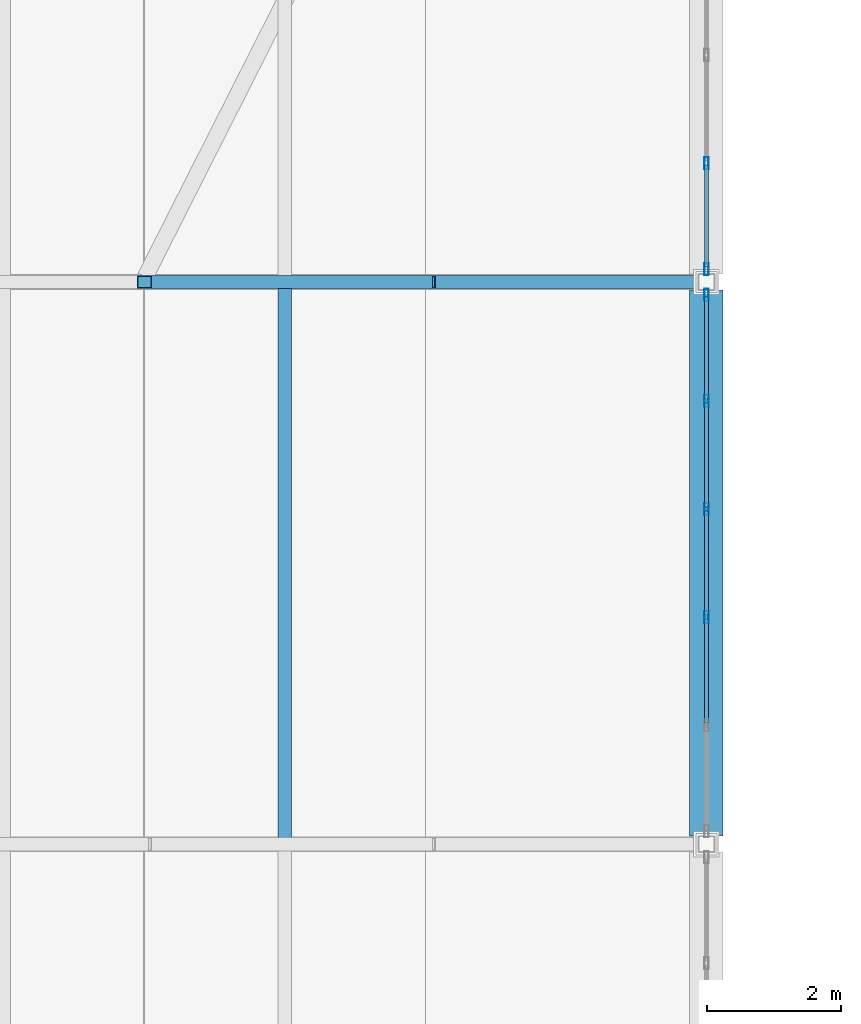
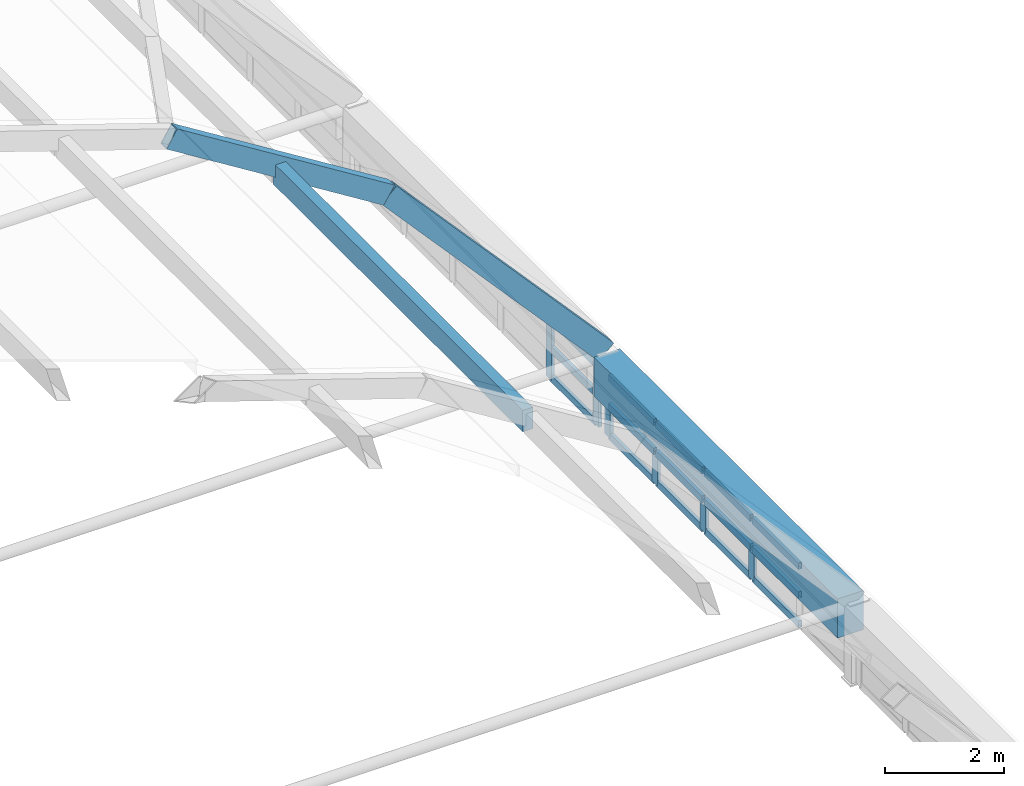
# One storey, part 23 of 114: 22 members, 3 beams, 2 elements without a shape of their own.
"""IFC4 building model written with IfcOpenShell, lengths in metres."""

from ifc_helpers import new_model, si_unit, direction, frame, origin, origin_2d, place, context, subcontext, project, spatial, rectangle, hollow_rectangle, extrude, material, layer, layer_set, material_profile, profile_set, type_object, element, aggregate, save


model = new_model("IFC4")

# Units and contexts
model_context = context("Model", 3, precision=1e-05, world=origin(), true_north=direction((0.0, 1.0)))
body_context = subcontext(model_context, "Body", "Model", "MODEL_VIEW")
ifc_project = project(units=[si_unit("LENGTHUNIT", "METRE"), si_unit("AREAUNIT", "SQUARE_METRE"), si_unit("VOLUMEUNIT", "CUBIC_METRE"), si_unit("PLANEANGLEUNIT", "RADIAN"), si_unit("MASSUNIT", "GRAM", prefix="KILO")], contexts=[model_context])

# Site, building, storey
site_placement = place(None, origin())
site = spatial("IfcSite", under=ifc_project, at=site_placement, CompositionType="ELEMENT")
building_placement = place(site_placement, origin())
building = spatial("IfcBuilding", under=site, at=building_placement, Name="Xazarin Passage Department Store", CompositionType="ELEMENT")
storey_placement = place(building_placement, frame((0.0, 0.0, 14.39990234375)))
storey = spatial("IfcBuildingStorey", under=building, at=storey_placement, Name="L03", CompositionType="ELEMENT", Elevation=14.39990234375)

# Curtain wall, members
ifc_material_1 = material(Name="Bronze anodised aluminium", Category="aluminium")
ifc_layer = layer(ifc_material_1, 0.159912109375)
ifc_layer_set = layer_set([ifc_layer], Name="Bronze anodised aluminium")
curtain_wall_type = type_object("IfcCurtainWallType", Name="ARC-CW-ARC1", PredefinedType="NOTDEFINED", material=ifc_layer_set)
curtain_wall_1_placement = place(storey_placement, origin())
curtain_wall_1 = element("IfcCurtainWall", 1, at=curtain_wall_1_placement, inside=storey, type_object=curtain_wall_type, Name="L03 V2S Galleria Clerestory Curtain Wall 3E", PredefinedType="NOTDEFINED")
ifc_material_profile_1 = material_profile(ifc_material_1, hollow_rectangle(XDim=0.06494140625, YDim=0.179931640625, WallThickness=0.00390625, at=origin_2d()), Name="ALU 65x180")
ifc_profile_set_1 = profile_set([ifc_material_profile_1], Name="Bronze anodised aluminium")
member_type_1 = type_object("IfcMemberType", Name="ARC-CWM-65x180", PredefinedType="MULLION", material=ifc_profile_set_1)
member_1_placement = place(storey_placement, frame((101.60009765625, 20.19189453125, 0.0), z_axis=(0.0, 0.0, 1.0), x_axis=(-1.0, 0.0, 0.0)))
member_1 = element("IfcMember", 2, at=member_1_placement, type_object=member_type_1, Name="CW3 mullion 3", PredefinedType="MULLION", context=body_context, shape_type="SweptSolid", body=[
    extrude(hollow_rectangle(XDim=0.06494140625, YDim=0.179931640625, WallThickness=0.00390625, at=origin_2d()), origin(), (0.0, 0.0, 1.0), 1.251708984375),
])
member_2_placement = place(storey_placement, frame((101.60009765625, 21.80810546875, 0.0), z_axis=(0.0, 0.0, 1.0), x_axis=(-1.0, 0.0, 0.0)))
member_2 = element("IfcMember", 3, at=member_2_placement, type_object=member_type_1, Name="CW3 mullion 4", PredefinedType="MULLION", context=body_context, shape_type="SweptSolid", body=[
    extrude(hollow_rectangle(XDim=0.06494140625, YDim=0.179931640625, WallThickness=0.00390625, at=origin_2d()), origin(), (0.0, 0.0, 1.0), 1.251708984375),
])
member_3_placement = place(storey_placement, frame((101.60009765625, 23.424072265625, 0.0), z_axis=(0.0, 0.0, 1.0), x_axis=(-1.0, 0.0, 0.0)))
member_3 = element("IfcMember", 4, at=member_3_placement, type_object=member_type_1, Name="CW3 mullion 5", PredefinedType="MULLION", context=body_context, shape_type="SweptSolid", body=[
    extrude(hollow_rectangle(XDim=0.06494140625, YDim=0.179931640625, WallThickness=0.00390625, at=origin_2d()), origin(), (0.0, 0.0, 1.0), 1.251708984375),
])
member_4_placement = place(storey_placement, frame((101.60009765625, 25.007568359375, 0.0), z_axis=(0.0, 0.0, 1.0), x_axis=(-1.0, 0.0, 0.0)))
member_4 = element("IfcMember", 5, at=member_4_placement, type_object=member_type_1, Name="CW3 mullion 6", PredefinedType="MULLION", context=body_context, shape_type="SweptSolid", body=[
    extrude(hollow_rectangle(XDim=0.06494140625, YDim=0.179931640625, WallThickness=0.00390625, at=origin_2d()), origin(), (0.0, 0.0, 1.0), 1.251708984375),
])

curtain_wall_2_placement = place(storey_placement, origin())
curtain_wall_2 = element("IfcCurtainWall", 6, at=curtain_wall_2_placement, inside=storey, type_object=curtain_wall_type, Name="L03 V2S Galleria Clerestory Curtain Wall 4E", PredefinedType="NOTDEFINED")
member_5_placement = place(storey_placement, frame((101.60009765625, 25.392578125, 0.0), z_axis=(0.0, 0.0, 1.0), x_axis=(-1.0, 0.0, 0.0)))
member_5 = element("IfcMember", 7, at=member_5_placement, type_object=member_type_1, Name="CW3 mullion 1", PredefinedType="MULLION", context=body_context, shape_type="SweptSolid", body=[
    extrude(hollow_rectangle(XDim=0.06494140625, YDim=0.179931640625, WallThickness=0.00390625, at=origin_2d()), origin(), (0.0, 0.0, 1.0), 1.251708984375),
])
member_6_placement = place(storey_placement, frame((101.60009765625, 26.97607421875, 0.0), z_axis=(0.0, 0.0, 1.0), x_axis=(-1.0, 0.0, 0.0)))
member_6 = element("IfcMember", 8, at=member_6_placement, type_object=member_type_1, Name="CW3 mullion 2", PredefinedType="MULLION", context=body_context, shape_type="SweptSolid", body=[
    extrude(hollow_rectangle(XDim=0.06494140625, YDim=0.179931640625, WallThickness=0.00390625, at=origin_2d()), origin(), (0.0, 0.0, 1.0), 1.251708984375),
])

# Member
ifc_material_profile_2 = material_profile(ifc_material_1, hollow_rectangle(XDim=0.06494140625, YDim=0.139892578125, WallThickness=0.00390625, at=origin_2d()), Name="ALU 65x140")
ifc_profile_set_2 = profile_set([ifc_material_profile_2], Name="Bronze anodised aluminium")
member_type_2 = type_object("IfcMemberType", Name="ARC-CWT-65x140", PredefinedType="USERDEFINED", material=ifc_profile_set_2)
member_7_placement = place(storey_placement, frame((101.60009765625, 18.6083984375, 0.03271484375), z_axis=(0.0, 1.0, 0.0), x_axis=(-1.0, 0.0, 0.0)))
member_7 = element("IfcMember", 9, at=member_7_placement, type_object=member_type_2, Name="CW3 transom 2.1", ObjectType="TRANSOM", PredefinedType="USERDEFINED", context=body_context, shape_type="SweptSolid", body=[
    extrude(hollow_rectangle(XDim=0.06494140625, YDim=0.139892578125, WallThickness=0.00390625, at=origin_2d()), origin(), (0.0, 0.0, 1.0), 1.551025390625),
])

member_8_placement = place(storey_placement, frame((101.60009765625, 18.6083984375, 0.6259765625), z_axis=(0.0, 1.0, 0.0), x_axis=(-1.0, 0.0, 0.0)))
member_8 = element("IfcMember", 10, at=member_8_placement, type_object=member_type_2, Name="CW3 transom 2.2", ObjectType="TRANSOM", PredefinedType="USERDEFINED", context=body_context, shape_type="SweptSolid", body=[
    extrude(hollow_rectangle(XDim=0.06494140625, YDim=0.139892578125, WallThickness=0.00390625, at=origin_2d()), origin(), (0.0, 0.0, 1.0), 1.551025390625),
])

member_9_placement = place(storey_placement, frame((101.60009765625, 18.6083984375, 1.21923828125), z_axis=(0.0, 1.0, 0.0), x_axis=(-1.0, 0.0, 0.0)))
member_9 = element("IfcMember", 11, at=member_9_placement, type_object=member_type_2, Name="CW3 transom 2.3", ObjectType="TRANSOM", PredefinedType="USERDEFINED", context=body_context, shape_type="SweptSolid", body=[
    extrude(hollow_rectangle(XDim=0.06494140625, YDim=0.139892578125, WallThickness=0.00390625, at=origin_2d()), origin(), (0.0, 0.0, 1.0), 1.551025390625),
])

member_10_placement = place(storey_placement, frame((101.60009765625, 20.224609375, 0.03271484375), z_axis=(0.0, 1.0, 0.0), x_axis=(-1.0, 0.0, 0.0)))
member_10 = element("IfcMember", 12, at=member_10_placement, type_object=member_type_2, Name="CW3 transom 3.1", ObjectType="TRANSOM", PredefinedType="USERDEFINED", context=body_context, shape_type="SweptSolid", body=[
    extrude(hollow_rectangle(XDim=0.06494140625, YDim=0.139892578125, WallThickness=0.00390625, at=origin_2d()), origin(), (0.0, 0.0, 1.0), 1.55078125),
])

member_11_placement = place(storey_placement, frame((101.60009765625, 20.224609375, 0.6259765625), z_axis=(0.0, 1.0, 0.0), x_axis=(-1.0, 0.0, 0.0)))
member_11 = element("IfcMember", 13, at=member_11_placement, type_object=member_type_2, Name="CW3 transom 3.2", ObjectType="TRANSOM", PredefinedType="USERDEFINED", context=body_context, shape_type="SweptSolid", body=[
    extrude(hollow_rectangle(XDim=0.06494140625, YDim=0.139892578125, WallThickness=0.00390625, at=origin_2d()), origin(), (0.0, 0.0, 1.0), 1.55078125),
])

member_12_placement = place(storey_placement, frame((101.60009765625, 20.224609375, 1.21923828125), z_axis=(0.0, 1.0, 0.0), x_axis=(-1.0, 0.0, 0.0)))
member_12 = element("IfcMember", 14, at=member_12_placement, type_object=member_type_2, Name="CW3 transom 3.3", ObjectType="TRANSOM", PredefinedType="USERDEFINED", context=body_context, shape_type="SweptSolid", body=[
    extrude(hollow_rectangle(XDim=0.06494140625, YDim=0.139892578125, WallThickness=0.00390625, at=origin_2d()), origin(), (0.0, 0.0, 1.0), 1.55078125),
])

member_13_placement = place(storey_placement, frame((101.60009765625, 21.840576171875, 0.03271484375), z_axis=(0.0, 1.0, 0.0), x_axis=(-1.0, 0.0, 0.0)))
member_13 = element("IfcMember", 15, at=member_13_placement, type_object=member_type_2, Name="CW3 transom 4.1", ObjectType="TRANSOM", PredefinedType="USERDEFINED", context=body_context, shape_type="SweptSolid", body=[
    extrude(hollow_rectangle(XDim=0.06494140625, YDim=0.139892578125, WallThickness=0.00390625, at=origin_2d()), origin(), (0.0, 0.0, 1.0), 1.551025390625),
])

member_14_placement = place(storey_placement, frame((101.60009765625, 21.840576171875, 0.6259765625), z_axis=(0.0, 1.0, 0.0), x_axis=(-1.0, 0.0, 0.0)))
member_14 = element("IfcMember", 16, at=member_14_placement, type_object=member_type_2, Name="CW3 transom 4.2", ObjectType="TRANSOM", PredefinedType="USERDEFINED", context=body_context, shape_type="SweptSolid", body=[
    extrude(hollow_rectangle(XDim=0.06494140625, YDim=0.139892578125, WallThickness=0.00390625, at=origin_2d()), origin(), (0.0, 0.0, 1.0), 1.551025390625),
])

member_15_placement = place(storey_placement, frame((101.60009765625, 21.840576171875, 1.21923828125), z_axis=(0.0, 1.0, 0.0), x_axis=(-1.0, 0.0, 0.0)))
member_15 = element("IfcMember", 17, at=member_15_placement, type_object=member_type_2, Name="CW3 transom 4.3", ObjectType="TRANSOM", PredefinedType="USERDEFINED", context=body_context, shape_type="SweptSolid", body=[
    extrude(hollow_rectangle(XDim=0.06494140625, YDim=0.139892578125, WallThickness=0.00390625, at=origin_2d()), origin(), (0.0, 0.0, 1.0), 1.551025390625),
])

member_16_placement = place(storey_placement, frame((101.60009765625, 23.45654296875, 0.03271484375), z_axis=(0.0, 1.0, 0.0), x_axis=(-1.0, 0.0, 0.0)))
member_16 = element("IfcMember", 18, at=member_16_placement, type_object=member_type_2, Name="CW3 transom 5.1", ObjectType="TRANSOM", PredefinedType="USERDEFINED", context=body_context, shape_type="SweptSolid", body=[
    extrude(hollow_rectangle(XDim=0.06494140625, YDim=0.139892578125, WallThickness=0.00390625, at=origin_2d()), origin(), (0.0, 0.0, 1.0), 1.5185546875),
])

member_17_placement = place(storey_placement, frame((101.60009765625, 23.45654296875, 0.6259765625), z_axis=(0.0, 1.0, 0.0), x_axis=(-1.0, 0.0, 0.0)))
member_17 = element("IfcMember", 19, at=member_17_placement, type_object=member_type_2, Name="CW3 transom 5.2", ObjectType="TRANSOM", PredefinedType="USERDEFINED", context=body_context, shape_type="SweptSolid", body=[
    extrude(hollow_rectangle(XDim=0.06494140625, YDim=0.139892578125, WallThickness=0.00390625, at=origin_2d()), origin(), (0.0, 0.0, 1.0), 1.5185546875),
])

member_18_placement = place(storey_placement, frame((101.60009765625, 23.45654296875, 1.21923828125), z_axis=(0.0, 1.0, 0.0), x_axis=(-1.0, 0.0, 0.0)))
member_18 = element("IfcMember", 20, at=member_18_placement, type_object=member_type_2, Name="CW3 transom 5.3", ObjectType="TRANSOM", PredefinedType="USERDEFINED", context=body_context, shape_type="SweptSolid", body=[
    extrude(hollow_rectangle(XDim=0.06494140625, YDim=0.139892578125, WallThickness=0.00390625, at=origin_2d()), origin(), (0.0, 0.0, 1.0), 1.5185546875),
])

aggregate(curtain_wall_1, [member_1, member_2, member_3, member_4, member_7, member_8, member_9, member_10, member_11, member_12, member_13, member_14, member_15, member_16, member_17, member_18])

member_19_placement = place(storey_placement, frame((101.60009765625, 25.425048828125, 0.03271484375), z_axis=(0.0, 1.0, 0.0), x_axis=(-1.0, 0.0, 0.0)))
member_19 = element("IfcMember", 21, at=member_19_placement, type_object=member_type_2, Name="CW3 transom 1.1", ObjectType="TRANSOM", PredefinedType="USERDEFINED", context=body_context, shape_type="SweptSolid", body=[
    extrude(hollow_rectangle(XDim=0.06494140625, YDim=0.139892578125, WallThickness=0.00390625, at=origin_2d()), origin(), (0.0, 0.0, 1.0), 1.5185546875),
])

member_20_placement = place(storey_placement, frame((101.60009765625, 25.425048828125, 0.6259765625), z_axis=(0.0, 1.0, 0.0), x_axis=(-1.0, 0.0, 0.0)))
member_20 = element("IfcMember", 22, at=member_20_placement, type_object=member_type_2, Name="CW3 transom 1.2", ObjectType="TRANSOM", PredefinedType="USERDEFINED", context=body_context, shape_type="SweptSolid", body=[
    extrude(hollow_rectangle(XDim=0.06494140625, YDim=0.139892578125, WallThickness=0.00390625, at=origin_2d()), origin(), (0.0, 0.0, 1.0), 1.5185546875),
])

member_21_placement = place(storey_placement, frame((101.60009765625, 25.425048828125, 1.21923828125), z_axis=(0.0, 1.0, 0.0), x_axis=(-1.0, 0.0, 0.0)))
member_21 = element("IfcMember", 23, at=member_21_placement, type_object=member_type_2, Name="CW3 transom 1.3", ObjectType="TRANSOM", PredefinedType="USERDEFINED", context=body_context, shape_type="SweptSolid", body=[
    extrude(hollow_rectangle(XDim=0.06494140625, YDim=0.139892578125, WallThickness=0.00390625, at=origin_2d()), origin(), (0.0, 0.0, 1.0), 1.5185546875),
])

aggregate(curtain_wall_2, [member_5, member_6, member_19, member_20, member_21])

# Beams
ifc_material_2 = material(Name="Steel S355", Category="steel")
ifc_material_profile_3 = material_profile(ifc_material_2, hollow_rectangle(XDim=0.199951171875, YDim=0.39990234375, WallThickness=0.01611328125, at=origin_2d()), Name="RHS 400x200x16")
ifc_profile_set_3 = profile_set([ifc_material_profile_3], Name="Steel S355")
beam_type_1 = type_object("IfcBeamType", Name="STR-BM-AR400", PredefinedType="BEAM", material=ifc_profile_set_3)
beam_1_placement = place(storey_placement, frame((93.199951171875, 25.199951171875, 8.95068359375), z_axis=(0.848571440894, 0.0, -0.529080815848), x_axis=(0.0, 1.0, 0.0)))
element("IfcBeam", 24, at=beam_1_placement, inside=storey, type_object=beam_type_1, Name="V2S Primary Arch Rib 4.7", PredefinedType="BEAM", context=body_context, shape_type="SweptSolid", body=[
    extrude(hollow_rectangle(XDim=0.199951171875, YDim=0.39990234375, WallThickness=0.01611328125, at=origin_2d()), origin(), (0.0, 0.0, 1.0), 4.949462890625),
])
beam_2_placement = place(storey_placement, frame((97.39990234375, 25.199951171875, 6.33203125), z_axis=(0.667913050078, 0.0, -0.744239314694), x_axis=(0.0, 1.0, 0.0)))
element("IfcBeam", 25, at=beam_2_placement, inside=storey, type_object=beam_type_1, Name="V2S Primary Arch Rib 4.8", PredefinedType="BEAM", context=body_context, shape_type="SweptSolid", body=[
    extrude(hollow_rectangle(XDim=0.199951171875, YDim=0.39990234375, WallThickness=0.01611328125, at=origin_2d()), origin(), (0.0, 0.0, 1.0), 6.28857421875),
])
ifc_material_3 = material(Name="Concrete C40/50", Category="concrete")
ifc_material_profile_4 = material_profile(ifc_material_3, rectangle(XDim=0.5, YDim=0.800048828125, at=origin_2d()), Name="RC 500x800")
ifc_profile_set_4 = profile_set([ifc_material_profile_4], Name="Concrete C40/50")
beam_type_2 = type_object("IfcBeamType", Name="STR-BM-RG500x800", PredefinedType="BEAM", material=ifc_profile_set_4)
beam_3_placement = place(storey_placement, frame((101.60009765625, 16.919921875, 1.251708984375), z_axis=(0.0, 1.0, 0.0), x_axis=(-1.0, 0.0, 0.0)))
element("IfcBeam", 26, at=beam_3_placement, inside=storey, type_object=beam_type_2, Name="V2S Springing Ring Girder E-3", PredefinedType="BEAM", context=body_context, shape_type="SweptSolid", body=[
    extrude(rectangle(XDim=0.5, YDim=0.800048828125, at=origin_2d()), origin(), (0.0, 0.0, 1.0), 8.16015625),
])

# Member
ifc_material_4 = material(Name="Glulam GL28h", Category="wood")
ifc_material_profile_5 = material_profile(ifc_material_4, rectangle(XDim=0.199951171875, YDim=0.43994140625, at=origin_2d()), Name="GL28h 200x440")
ifc_profile_set_5 = profile_set([ifc_material_profile_5], Name="Glulam GL28h")
member_type_3 = type_object("IfcMemberType", Name="STR-MEM-GL440", PredefinedType="PURLIN", material=ifc_profile_set_5)
member_22_placement = place(storey_placement, frame((95.300048828125, 16.820068359375, 7.501220703125), z_axis=(0.0, 1.0, 0.0), x_axis=(-1.0, 0.0, 0.0)))
element("IfcMember", 27, at=member_22_placement, inside=storey, type_object=member_type_3, Name="V2S Glulam Gridshell Purlin 3.7", PredefinedType="PURLIN", context=body_context, shape_type="SweptSolid", body=[
    extrude(rectangle(XDim=0.199951171875, YDim=0.43994140625, at=origin_2d()), origin(), (0.0, 0.0, 1.0), 8.35986328125),
])

save(model, "model.ifc")
